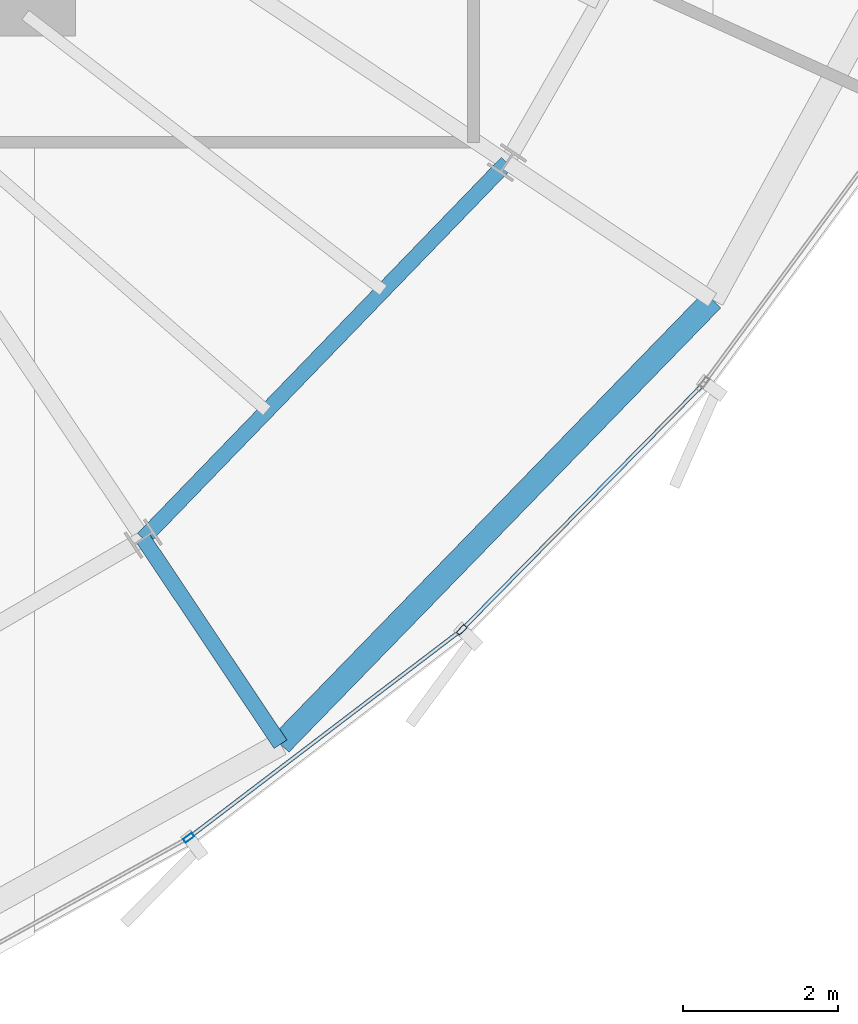
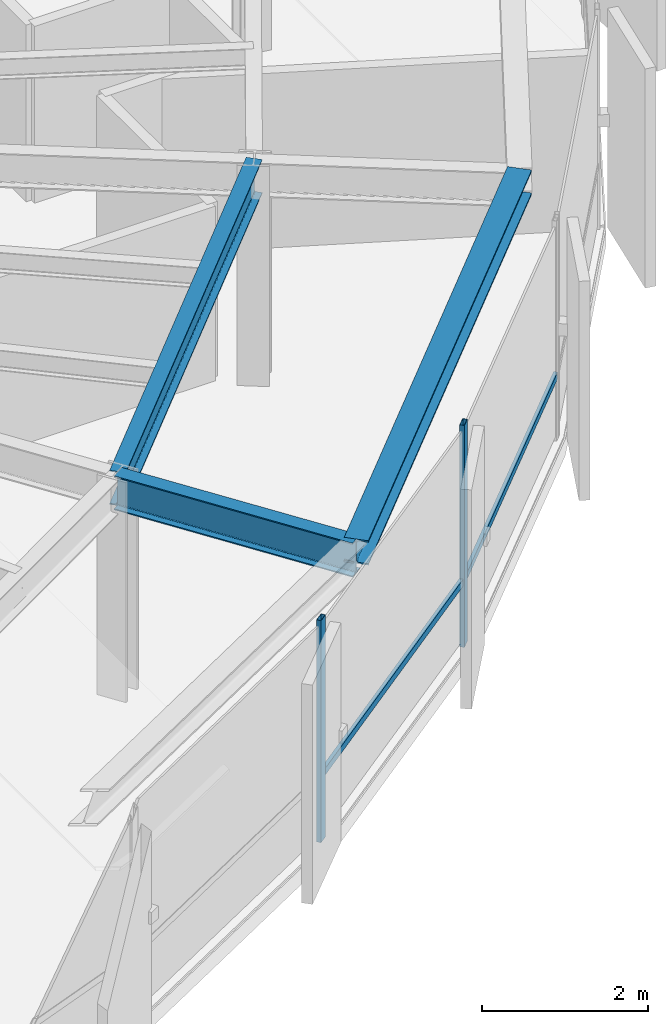
# One storey, part 14 of 37: 4 members, 3 beams, 1 element without a shape of its own.
"""IFC4 building model written with IfcOpenShell, lengths in metres."""

from ifc_helpers import new_model, si_unit, direction, frame, origin, origin_2d, place, context, subcontext, project, spatial, hollow_rectangle, i_section, extrude, source, transform, mapped, material, layer, layer_set, material_profile, profile_set, type_object, element, aggregate, save


model = new_model("IFC4")

# Units and contexts
model_context = context("Model", 3, precision=1e-05, world=origin(), true_north=direction((0.0, 1.0)))
body_context = subcontext(model_context, "Body", "Model", "MODEL_VIEW")
ifc_project = project(units=[si_unit("LENGTHUNIT", "METRE"), si_unit("AREAUNIT", "SQUARE_METRE"), si_unit("VOLUMEUNIT", "CUBIC_METRE"), si_unit("PLANEANGLEUNIT", "RADIAN"), si_unit("MASSUNIT", "GRAM", prefix="KILO"), si_unit("THERMODYNAMICTEMPERATUREUNIT", "KELVIN")], contexts=[model_context])

# Site, building, storey
site_placement = place(None, origin())
site = spatial("IfcSite", under=ifc_project, at=site_placement, CompositionType="ELEMENT")
building_placement = place(site_placement, origin())
building = spatial("IfcBuilding", under=site, at=building_placement, Name="Kethvar Cultural Tower", CompositionType="ELEMENT")
storey_placement = place(building_placement, frame((0.0, 0.0, 200.89990234375)))
storey = spatial("IfcBuildingStorey", under=building, at=storey_placement, Name="L52", CompositionType="ELEMENT", Elevation=200.89990234375)

# Beams
ifc_material_1 = material(Name="Steel S355J2", Category="steel")
ifc_material_profile_1 = material_profile(ifc_material_1, i_section(OverallWidth=0.199951171875, OverallDepth=0.5, WebThickness=0.01025390625, FlangeThickness=0.01611328125, FilletRadius=0.02099609375, at=origin_2d()), Name="Steel S355J2 — IPE500")
ifc_profile_set_1 = profile_set([ifc_material_profile_1], Name="Steel S355J2 — IPE500")
beam_type_1 = type_object("IfcBeamType", Name="BM-IPE500", PredefinedType="BEAM", material=ifc_profile_set_1)
shared_shape_1 = source(origin(), body_context, "Body", "SweptSolid", [
    extrude(i_section(OverallWidth=0.199951171875, OverallDepth=0.5, WebThickness=0.01025390625, FlangeThickness=0.01611328125, FilletRadius=0.02099609375, at=origin_2d()), origin(), (0.0, 0.0, 1.0), 3.199951171875),
])
beam_1_placement = place(storey_placement, frame((56.474609375, 13.32080078125, 3.008056640625), z_axis=(0.555580212716, -0.831462943996, 0.0), x_axis=(0.831462943996, 0.555580212716, 0.0)))
element("IfcBeam", 1, at=beam_1_placement, inside=storey, type_object=beam_type_1, Name="L52 Perimeter Cantilever Beam RC-14", PredefinedType="BEAM", context=body_context, shape_type="MappedRepresentation", body=[
    mapped(shared_shape_1, transform((0.0, 0.0, 0.0), scale=1.0)),
])
shared_shape_2 = source(origin(), body_context, "Body", "SweptSolid", [
    extrude(i_section(OverallWidth=0.199951171875, OverallDepth=0.5, WebThickness=0.01025390625, FlangeThickness=0.01611328125, FilletRadius=0.02099609375, at=origin_2d()), origin(), (0.0, 0.0, 1.0), 6.77294921875),
])
beam_2_placement = place(storey_placement, frame((56.474609375, 13.32080078125, 3.008056640625), z_axis=(0.695111533644, 0.718901909717, 0.0), x_axis=(-0.718901909717, 0.695111533644, 0.0)))
element("IfcBeam", 2, at=beam_2_placement, inside=storey, type_object=beam_type_1, Name="L52 Column Ring Tie Beam CR-14", PredefinedType="BEAM", context=body_context, shape_type="MappedRepresentation", body=[
    mapped(shared_shape_2, transform((0.0, 0.0, 0.0), scale=1.0)),
])
ifc_material_profile_2 = material_profile(ifc_material_1, i_section(OverallWidth=0.300048828125, OverallDepth=0.360107421875, WebThickness=0.012451171875, FlangeThickness=0.0224609375, FilletRadius=0.027099609375, at=origin_2d()), Name="Steel S355J2 — HEB360")
ifc_profile_set_2 = profile_set([ifc_material_profile_2], Name="Steel S355J2 — HEB360")
beam_type_2 = type_object("IfcBeamType", Name="BM-SP360", PredefinedType="SPANDREL", material=ifc_profile_set_2)
shared_shape_3 = source(origin(), body_context, "Body", "SweptSolid", [
    extrude(i_section(OverallWidth=0.300048828125, OverallDepth=0.360107421875, WebThickness=0.012451171875, FlangeThickness=0.0224609375, FilletRadius=0.027099609375, at=origin_2d()), origin(), (0.0, 0.0, 1.0), 8.021240234375),
])
beam_3_placement = place(storey_placement, frame((58.25244140625, 10.66015625, 3.078125), z_axis=(0.696991461782, 0.71707942531, 0.0), x_axis=(-0.71707942531, 0.696991461782, 0.0)))
element("IfcBeam", 3, at=beam_3_placement, inside=storey, type_object=beam_type_2, Name="L52 Perimeter Spandrel Beam SP-14", PredefinedType="SPANDREL", context=body_context, shape_type="MappedRepresentation", body=[
    mapped(shared_shape_3, transform((0.0, 0.0, 0.0), scale=1.0)),
])

# Curtain wall, members
ifc_material_2 = material(Name="Aluminium 6063-T6", Category="aluminium")
ifc_layer = layer(ifc_material_2, 0.179931640625, Name="Aluminium 6063-T6", Category="aluminium")
ifc_layer_set = layer_set([ifc_layer], Name="Aluminium 6063-T6 (180 mm)")
curtain_wall_type = type_object("IfcCurtainWallType", Name="CW-SYS-04-Z34", PredefinedType="NOTDEFINED", material=ifc_layer_set)
curtain_wall_placement = place(storey_placement, origin())
curtain_wall = element("IfcCurtainWall", 4, at=curtain_wall_placement, inside=storey, type_object=curtain_wall_type, Name="L52 Curtain Wall Run 05", PredefinedType="NOTDEFINED")
ifc_material_profile_3 = material_profile(ifc_material_2, hollow_rectangle(XDim=0.06005859375, YDim=0.139892578125, WallThickness=0.0048828125, at=origin_2d()), Name="Aluminium 6063-T6 — RHS140x60x5")
ifc_profile_set_3 = profile_set([ifc_material_profile_3], Name="Aluminium 6063-T6 — RHS140x60x5")
member_type_1 = type_object("IfcMemberType", Name="CW-SYS-04-Z34-MUL", PredefinedType="MULLION", material=ifc_profile_set_3)
shared_shape_4 = source(origin(), body_context, "Body", "SweptSolid", [
    extrude(hollow_rectangle(XDim=0.06005859375, YDim=0.139892578125, WallThickness=0.0048828125, at=origin_2d()), origin(), (0.0, 0.0, 1.0), 3.260009765625),
])
member_1_placement = place(storey_placement, frame((57.06396484375, 9.44921875, 0.0), z_axis=(0.0, 0.0, 1.0), x_axis=(-0.605960632634, 0.795494633356, 0.0)))
member_1 = element("IfcMember", 5, at=member_1_placement, type_object=member_type_1, Name="CW-L52-R05 Mullion 5", PredefinedType="MULLION", context=body_context, shape_type="MappedRepresentation", body=[
    mapped(shared_shape_4, transform((0.0, 0.0, 0.0), scale=1.0)),
])
member_2_placement = place(storey_placement, frame((60.5966796875, 12.138916015625, 0.0), z_axis=(0.0, 0.0, 1.0), x_axis=(-0.713177046197, 0.700983951869, 0.0)))
member_2 = element("IfcMember", 6, at=member_2_placement, type_object=member_type_1, Name="CW-L52-R05 Mullion 6", PredefinedType="MULLION", context=body_context, shape_type="MappedRepresentation", body=[
    mapped(shared_shape_4, transform((0.0, 0.0, 0.0), scale=1.0)),
])
ifc_material_profile_4 = material_profile(ifc_material_2, hollow_rectangle(XDim=0.050048828125, YDim=0.10009765625, WallThickness=0.00390625, at=origin_2d()), Name="Aluminium 6063-T6 — RHS100x50x4")
ifc_profile_set_4 = profile_set([ifc_material_profile_4], Name="Aluminium 6063-T6 — RHS100x50x4")
member_type_2 = type_object("IfcMemberType", Name="CW-SYS-04-Z34-TRN", PredefinedType="USERDEFINED", material=ifc_profile_set_4)
shared_shape_5 = source(origin(), body_context, "Body", "SweptSolid", [
    extrude(hollow_rectangle(XDim=0.050048828125, YDim=0.10009765625, WallThickness=0.00390625, at=origin_2d()), origin(), (0.0, 0.0, 1.0), 4.369384765625),
])
member_3_placement = place(storey_placement, frame((57.098388671875, 9.475341796875, 0.9501953125), z_axis=(0.795492000143, 0.605964089454, 0.0), x_axis=(-0.605964089454, 0.795492000143, 0.0)))
member_3 = element("IfcMember", 7, at=member_3_placement, type_object=member_type_2, Name="CW-L52-R05 Transom 5", ObjectType="TRANSOM", PredefinedType="USERDEFINED", context=body_context, shape_type="MappedRepresentation", body=[
    mapped(shared_shape_5, transform((0.0, 0.0, 0.0), scale=1.0)),
])
shared_shape_6 = source(origin(), body_context, "Body", "SweptSolid", [
    extrude(hollow_rectangle(XDim=0.050048828125, YDim=0.10009765625, WallThickness=0.00390625, at=origin_2d()), origin(), (0.0, 0.0, 1.0), 4.379638671875),
])
member_4_placement = place(storey_placement, frame((60.626953125, 12.169677734375, 0.9501953125), z_axis=(0.701004372984, 0.713156973645, 0.0), x_axis=(-0.713156973645, 0.701004372984, 0.0)))
member_4 = element("IfcMember", 8, at=member_4_placement, type_object=member_type_2, Name="CW-L52-R05 Transom 6", ObjectType="TRANSOM", PredefinedType="USERDEFINED", context=body_context, shape_type="MappedRepresentation", body=[
    mapped(shared_shape_6, transform((0.0, 0.0, 0.0), scale=1.0)),
])
aggregate(curtain_wall, [member_1, member_2, member_3, member_4])

save(model, "model.ifc")
